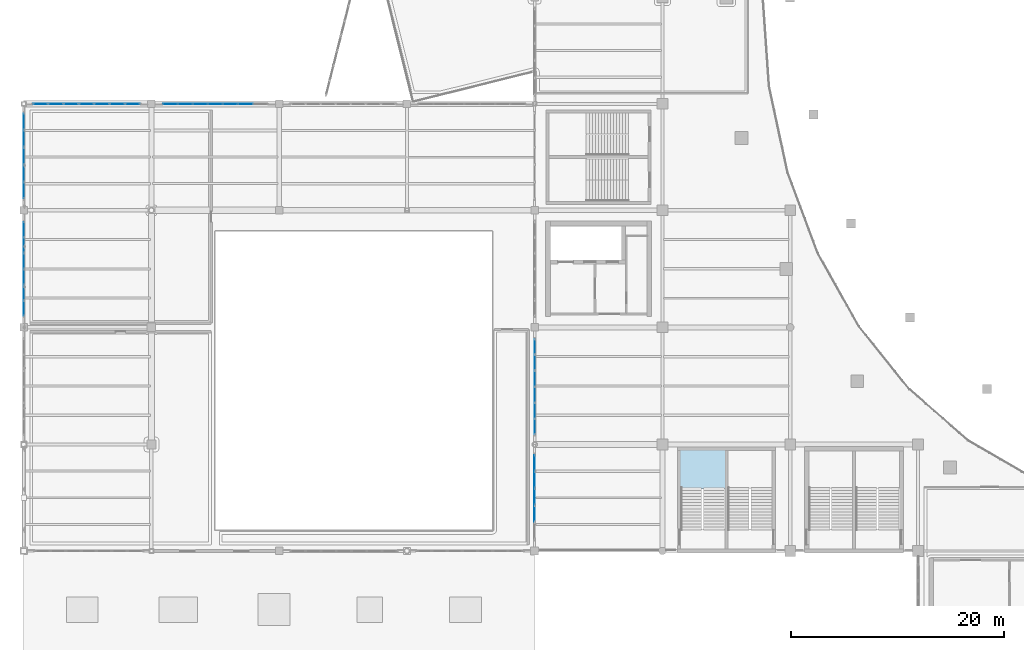
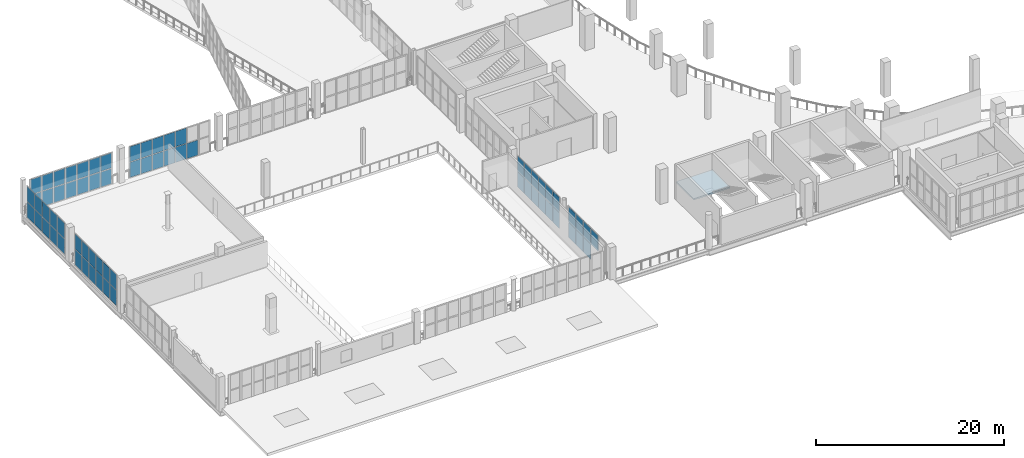
# One storey, part 67 of 108: 66 plates, 1 slab, 7 elements without a shape of their own.
"""IFC4 building model written with IfcOpenShell, lengths in metres."""

from ifc_helpers import new_model, si_unit, direction, frame, origin, origin_2d, place, context, subcontext, project, spatial, polyline, rectangle, outline, extrude, material, layer, layer_set, type_object, element, aggregate, save


model = new_model("IFC4")

# Units and contexts
model_context = context("Model", 3, precision=1e-05, world=origin(), true_north=direction((0.0, 1.0)))
body_context = subcontext(model_context, "Body", "Model", "MODEL_VIEW")
ifc_project = project(units=[si_unit("LENGTHUNIT", "METRE"), si_unit("AREAUNIT", "SQUARE_METRE"), si_unit("VOLUMEUNIT", "CUBIC_METRE"), si_unit("PLANEANGLEUNIT", "RADIAN"), si_unit("MASSUNIT", "GRAM", prefix="KILO")], contexts=[model_context])

# Site, building, storey
site_placement = place(None, origin())
site = spatial("IfcSite", under=ifc_project, at=site_placement, CompositionType="ELEMENT")
building_placement = place(site_placement, origin())
building = spatial("IfcBuilding", under=site, at=building_placement, Name="Brinegate Civic Arena", CompositionType="ELEMENT")
storey_placement = place(building_placement, frame((0.0, 0.0, 10.199951171875)))
storey = spatial("IfcBuildingStorey", under=building, at=storey_placement, Name="L02", CompositionType="ELEMENT", Elevation=10.199951171875)

# Curtain wall, plates
ifc_material_1 = material(Name="Marine grade aluminium", Category="aluminium")
ifc_layer_1 = layer(ifc_material_1, 0.18505859375, Name="Marine grade aluminium")
ifc_layer_set_1 = layer_set([ifc_layer_1], Name="Marine grade aluminium")
curtain_wall_type_1 = type_object("IfcCurtainWallType", Name="CW-WING-GLAZED-03", PredefinedType="USERDEFINED", material=ifc_layer_set_1)
curtain_wall_1_placement = place(storey_placement, origin())
curtain_wall_1 = element("IfcCurtainWall", 1, at=curtain_wall_1_placement, inside=storey, type_object=curtain_wall_type_1, Name="Curtain Wall CWA-022", ObjectType="GLAZED CURTAIN WALL", PredefinedType="USERDEFINED")
ifc_material_2 = material(Name="Hurricane laminated low-E glass", Category="glass")
ifc_layer_2 = layer(ifc_material_2, 0.028076171875, Name="Hurricane laminated low-E glass")
ifc_layer_set_2 = layer_set([ifc_layer_2], Name="Hurricane laminated low-E glass")
plate_type_1 = type_object("IfcPlateType", Name="CW-PANEL-GLAZED-28", PredefinedType="CURTAIN_PANEL", material=ifc_layer_set_2)
plate_1_placement = place(storey_placement, frame((13.76904296875, 52.0, 0.06494140625), z_axis=(0.0, 0.0, 1.0), x_axis=(1.0, 0.0, 0.0)))
plate_1 = element("IfcPlate", 2, at=plate_1_placement, type_object=plate_type_1, Name="CWA-022 panel 1.1", PredefinedType="CURTAIN_PANEL", context=body_context, shape_type="SweptSolid", body=[
    extrude(rectangle(XDim=1.318115234375, YDim=0.028076171875, at=origin_2d()), origin(), (0.0, 0.0, 1.0), 1.9775390625),
])
plate_2_placement = place(storey_placement, frame((13.76904296875, 52.0, 2.107421875), z_axis=(0.0, 0.0, 1.0), x_axis=(1.0, 0.0, 0.0)))
plate_2 = element("IfcPlate", 3, at=plate_2_placement, type_object=plate_type_1, Name="CWA-022 panel 1.2", PredefinedType="CURTAIN_PANEL", context=body_context, shape_type="SweptSolid", body=[
    extrude(rectangle(XDim=1.318115234375, YDim=0.028076171875, at=origin_2d()), origin(), (0.0, 0.0, 1.0), 1.9775390625),
])
plate_3_placement = place(storey_placement, frame((15.16845703125, 52.0, 0.06494140625), z_axis=(0.0, 0.0, 1.0), x_axis=(1.0, 0.0, 0.0)))
plate_3 = element("IfcPlate", 4, at=plate_3_placement, type_object=plate_type_1, Name="CWA-022 panel 2.1", PredefinedType="CURTAIN_PANEL", context=body_context, shape_type="SweptSolid", body=[
    extrude(rectangle(XDim=1.350830078125, YDim=0.028076171875, at=origin_2d()), origin(), (0.0, 0.0, 1.0), 1.9775390625),
])
plate_4_placement = place(storey_placement, frame((15.16845703125, 52.0, 2.107421875), z_axis=(0.0, 0.0, 1.0), x_axis=(1.0, 0.0, 0.0)))
plate_4 = element("IfcPlate", 5, at=plate_4_placement, type_object=plate_type_1, Name="CWA-022 panel 2.2", PredefinedType="CURTAIN_PANEL", context=body_context, shape_type="SweptSolid", body=[
    extrude(rectangle(XDim=1.350830078125, YDim=0.028076171875, at=origin_2d()), origin(), (0.0, 0.0, 1.0), 1.9775390625),
])
plate_5_placement = place(storey_placement, frame((16.584228515625, 52.0, 0.06494140625), z_axis=(0.0, 0.0, 1.0), x_axis=(1.0, 0.0, 0.0)))
plate_5 = element("IfcPlate", 6, at=plate_5_placement, type_object=plate_type_1, Name="CWA-022 panel 3.1", PredefinedType="CURTAIN_PANEL", context=body_context, shape_type="SweptSolid", body=[
    extrude(rectangle(XDim=1.350830078125, YDim=0.028076171875, at=origin_2d()), origin(), (0.0, 0.0, 1.0), 1.9775390625),
])
plate_6_placement = place(storey_placement, frame((16.584228515625, 52.0, 2.107421875), z_axis=(0.0, 0.0, 1.0), x_axis=(1.0, 0.0, 0.0)))
plate_6 = element("IfcPlate", 7, at=plate_6_placement, type_object=plate_type_1, Name="CWA-022 panel 3.2", PredefinedType="CURTAIN_PANEL", context=body_context, shape_type="SweptSolid", body=[
    extrude(rectangle(XDim=1.350830078125, YDim=0.028076171875, at=origin_2d()), origin(), (0.0, 0.0, 1.0), 1.9775390625),
])
plate_7_placement = place(storey_placement, frame((18.0, 52.0, 0.06494140625), z_axis=(0.0, 0.0, 1.0), x_axis=(1.0, 0.0, 0.0)))
plate_7 = element("IfcPlate", 8, at=plate_7_placement, type_object=plate_type_1, Name="CWA-022 panel 4.1", PredefinedType="CURTAIN_PANEL", context=body_context, shape_type="SweptSolid", body=[
    extrude(rectangle(XDim=1.350830078125, YDim=0.028076171875, at=origin_2d()), origin(), (0.0, 0.0, 1.0), 1.9775390625),
])
plate_8_placement = place(storey_placement, frame((18.0, 52.0, 2.107421875), z_axis=(0.0, 0.0, 1.0), x_axis=(1.0, 0.0, 0.0)))
plate_8 = element("IfcPlate", 9, at=plate_8_placement, type_object=plate_type_1, Name="CWA-022 panel 4.2", PredefinedType="CURTAIN_PANEL", context=body_context, shape_type="SweptSolid", body=[
    extrude(rectangle(XDim=1.350830078125, YDim=0.028076171875, at=origin_2d()), origin(), (0.0, 0.0, 1.0), 1.9775390625),
])
plate_9_placement = place(storey_placement, frame((19.415771484375, 52.0, 0.06494140625), z_axis=(0.0, 0.0, 1.0), x_axis=(1.0, 0.0, 0.0)))
plate_9 = element("IfcPlate", 10, at=plate_9_placement, type_object=plate_type_1, Name="CWA-022 panel 5.1", PredefinedType="CURTAIN_PANEL", context=body_context, shape_type="SweptSolid", body=[
    extrude(rectangle(XDim=1.350830078125, YDim=0.028076171875, at=origin_2d()), origin(), (0.0, 0.0, 1.0), 1.9775390625),
])
plate_10_placement = place(storey_placement, frame((19.415771484375, 52.0, 2.107421875), z_axis=(0.0, 0.0, 1.0), x_axis=(1.0, 0.0, 0.0)))
plate_10 = element("IfcPlate", 11, at=plate_10_placement, type_object=plate_type_1, Name="CWA-022 panel 5.2", PredefinedType="CURTAIN_PANEL", context=body_context, shape_type="SweptSolid", body=[
    extrude(rectangle(XDim=1.350830078125, YDim=0.028076171875, at=origin_2d()), origin(), (0.0, 0.0, 1.0), 1.9775390625),
])
plate_11_placement = place(storey_placement, frame((20.83154296875, 52.0, 0.06494140625), z_axis=(0.0, 0.0, 1.0), x_axis=(1.0, 0.0, 0.0)))
plate_11 = element("IfcPlate", 12, at=plate_11_placement, type_object=plate_type_1, Name="CWA-022 panel 6.1", PredefinedType="CURTAIN_PANEL", context=body_context, shape_type="SweptSolid", body=[
    extrude(rectangle(XDim=1.350830078125, YDim=0.028076171875, at=origin_2d()), origin(), (0.0, 0.0, 1.0), 1.9775390625),
])
aggregate(curtain_wall_1, [plate_1, plate_2, plate_3, plate_4, plate_5, plate_6, plate_7, plate_8, plate_9, plate_10, plate_11])

curtain_wall_2_placement = place(storey_placement, origin())
curtain_wall_2 = element("IfcCurtainWall", 13, at=curtain_wall_2_placement, inside=storey, type_object=curtain_wall_type_1, Name="Curtain Wall CWA-020", ObjectType="GLAZED CURTAIN WALL", PredefinedType="USERDEFINED")
ifc_layer_3 = layer(ifc_material_2, 0.031982421875, Name="Hurricane laminated low-E glass")
ifc_layer_set_3 = layer_set([ifc_layer_3], Name="Hurricane laminated low-E glass")
plate_type_2 = type_object("IfcPlateType", Name="CW-PANEL-GLAZED-32", PredefinedType="CURTAIN_PANEL", material=ifc_layer_set_3)
plate_12_placement = place(storey_placement, frame((0.0, 32.8037109375, 0.06494140625), z_axis=(0.0, 0.0, 1.0), x_axis=(0.0, 1.0, 0.0)))
plate_12 = element("IfcPlate", 14, at=plate_12_placement, type_object=plate_type_2, Name="CWA-020 panel 1.1", PredefinedType="CURTAIN_PANEL", context=body_context, shape_type="SweptSolid", body=[
    extrude(rectangle(XDim=1.387451171875, YDim=0.031982421875, at=origin_2d()), origin(), (0.0, 0.0, 1.0), 1.9775390625),
])
plate_13_placement = place(storey_placement, frame((0.0, 32.8037109375, 2.107421875), z_axis=(0.0, 0.0, 1.0), x_axis=(0.0, 1.0, 0.0)))
plate_13 = element("IfcPlate", 15, at=plate_13_placement, type_object=plate_type_2, Name="CWA-020 panel 1.2", PredefinedType="CURTAIN_PANEL", context=body_context, shape_type="SweptSolid", body=[
    extrude(rectangle(XDim=1.387451171875, YDim=0.031982421875, at=origin_2d()), origin(), (0.0, 0.0, 1.0), 1.9775390625),
])
plate_14_placement = place(storey_placement, frame((0.0, 34.2724609375, 0.06494140625), z_axis=(0.0, 0.0, 1.0), x_axis=(0.0, 1.0, 0.0)))
plate_14 = element("IfcPlate", 16, at=plate_14_placement, type_object=plate_type_2, Name="CWA-020 panel 2.1", PredefinedType="CURTAIN_PANEL", context=body_context, shape_type="SweptSolid", body=[
    extrude(rectangle(XDim=1.419921875, YDim=0.031982421875, at=origin_2d()), origin(), (0.0, 0.0, 1.0), 1.9775390625),
])
plate_15_placement = place(storey_placement, frame((0.0, 34.2724609375, 2.107421875), z_axis=(0.0, 0.0, 1.0), x_axis=(0.0, 1.0, 0.0)))
plate_15 = element("IfcPlate", 17, at=plate_15_placement, type_object=plate_type_2, Name="CWA-020 panel 2.2", PredefinedType="CURTAIN_PANEL", context=body_context, shape_type="SweptSolid", body=[
    extrude(rectangle(XDim=1.419921875, YDim=0.031982421875, at=origin_2d()), origin(), (0.0, 0.0, 1.0), 1.9775390625),
])
plate_16_placement = place(storey_placement, frame((0.0, 35.757568359375, 0.06494140625), z_axis=(0.0, 0.0, 1.0), x_axis=(0.0, 1.0, 0.0)))
plate_16 = element("IfcPlate", 18, at=plate_16_placement, type_object=plate_type_2, Name="CWA-020 panel 3.1", PredefinedType="CURTAIN_PANEL", context=body_context, shape_type="SweptSolid", body=[
    extrude(rectangle(XDim=1.419921875, YDim=0.031982421875, at=origin_2d()), origin(), (0.0, 0.0, 1.0), 1.9775390625),
])
plate_17_placement = place(storey_placement, frame((0.0, 35.757568359375, 2.107421875), z_axis=(0.0, 0.0, 1.0), x_axis=(0.0, 1.0, 0.0)))
plate_17 = element("IfcPlate", 19, at=plate_17_placement, type_object=plate_type_2, Name="CWA-020 panel 3.2", PredefinedType="CURTAIN_PANEL", context=body_context, shape_type="SweptSolid", body=[
    extrude(rectangle(XDim=1.419921875, YDim=0.031982421875, at=origin_2d()), origin(), (0.0, 0.0, 1.0), 1.9775390625),
])
plate_18_placement = place(storey_placement, frame((0.0, 37.242431640625, 0.06494140625), z_axis=(0.0, 0.0, 1.0), x_axis=(0.0, 1.0, 0.0)))
plate_18 = element("IfcPlate", 20, at=plate_18_placement, type_object=plate_type_2, Name="CWA-020 panel 4.1", PredefinedType="CURTAIN_PANEL", context=body_context, shape_type="SweptSolid", body=[
    extrude(rectangle(XDim=1.419921875, YDim=0.031982421875, at=origin_2d()), origin(), (0.0, 0.0, 1.0), 1.9775390625),
])
plate_19_placement = place(storey_placement, frame((0.0, 37.242431640625, 2.107421875), z_axis=(0.0, 0.0, 1.0), x_axis=(0.0, 1.0, 0.0)))
plate_19 = element("IfcPlate", 21, at=plate_19_placement, type_object=plate_type_2, Name="CWA-020 panel 4.2", PredefinedType="CURTAIN_PANEL", context=body_context, shape_type="SweptSolid", body=[
    extrude(rectangle(XDim=1.419921875, YDim=0.031982421875, at=origin_2d()), origin(), (0.0, 0.0, 1.0), 1.9775390625),
])
plate_20_placement = place(storey_placement, frame((0.0, 38.7275390625, 0.06494140625), z_axis=(0.0, 0.0, 1.0), x_axis=(0.0, 1.0, 0.0)))
plate_20 = element("IfcPlate", 22, at=plate_20_placement, type_object=plate_type_2, Name="CWA-020 panel 5.1", PredefinedType="CURTAIN_PANEL", context=body_context, shape_type="SweptSolid", body=[
    extrude(rectangle(XDim=1.419921875, YDim=0.031982421875, at=origin_2d()), origin(), (0.0, 0.0, 1.0), 1.9775390625),
])
plate_21_placement = place(storey_placement, frame((0.0, 38.7275390625, 2.107421875), z_axis=(0.0, 0.0, 1.0), x_axis=(0.0, 1.0, 0.0)))
plate_21 = element("IfcPlate", 23, at=plate_21_placement, type_object=plate_type_2, Name="CWA-020 panel 5.2", PredefinedType="CURTAIN_PANEL", context=body_context, shape_type="SweptSolid", body=[
    extrude(rectangle(XDim=1.419921875, YDim=0.031982421875, at=origin_2d()), origin(), (0.0, 0.0, 1.0), 1.9775390625),
])
plate_22_placement = place(storey_placement, frame((0.0, 40.1962890625, 0.06494140625), z_axis=(0.0, 0.0, 1.0), x_axis=(0.0, 1.0, 0.0)))
plate_22 = element("IfcPlate", 24, at=plate_22_placement, type_object=plate_type_2, Name="CWA-020 panel 6.1", PredefinedType="CURTAIN_PANEL", context=body_context, shape_type="SweptSolid", body=[
    extrude(rectangle(XDim=1.387451171875, YDim=0.031982421875, at=origin_2d()), origin(), (0.0, 0.0, 1.0), 1.9775390625),
])
plate_23_placement = place(storey_placement, frame((0.0, 40.1962890625, 2.107421875), z_axis=(0.0, 0.0, 1.0), x_axis=(0.0, 1.0, 0.0)))
plate_23 = element("IfcPlate", 25, at=plate_23_placement, type_object=plate_type_2, Name="CWA-020 panel 6.2", PredefinedType="CURTAIN_PANEL", context=body_context, shape_type="SweptSolid", body=[
    extrude(rectangle(XDim=1.387451171875, YDim=0.031982421875, at=origin_2d()), origin(), (0.0, 0.0, 1.0), 1.9775390625),
])
aggregate(curtain_wall_2, [plate_12, plate_13, plate_14, plate_15, plate_16, plate_17, plate_18, plate_19, plate_20, plate_21, plate_22, plate_23])

ifc_layer_4 = layer(ifc_material_1, 0.199951171875, Name="Marine grade aluminium")
ifc_layer_set_4 = layer_set([ifc_layer_4], Name="Marine grade aluminium")
curtain_wall_type_2 = type_object("IfcCurtainWallType", Name="CW-BOWL-GLAZED-01", PredefinedType="USERDEFINED", material=ifc_layer_set_4)
curtain_wall_3_placement = place(storey_placement, origin())
curtain_wall_3 = element("IfcCurtainWall", 26, at=curtain_wall_3_placement, inside=storey, type_object=curtain_wall_type_2, Name="Curtain Wall CWA-077", ObjectType="GLAZED CURTAIN WALL", PredefinedType="USERDEFINED")
plate_24_placement = place(storey_placement, frame((48.0, 21.67919921875, 0.06494140625), z_axis=(0.0, 0.0, 1.0), x_axis=(0.0, 1.0, 0.0)))
plate_24 = element("IfcPlate", 27, at=plate_24_placement, type_object=plate_type_2, Name="CWA-077 panel 1.1", PredefinedType="CURTAIN_PANEL", context=body_context, shape_type="SweptSolid", body=[
    extrude(rectangle(XDim=1.41015625, YDim=0.031982421875, at=origin_2d()), origin(), (0.0, 0.0, 1.0), 1.9775390625),
])
plate_25_placement = place(storey_placement, frame((48.0, 21.67919921875, 2.107421875), z_axis=(0.0, 0.0, 1.0), x_axis=(0.0, 1.0, 0.0)))
plate_25 = element("IfcPlate", 28, at=plate_25_placement, type_object=plate_type_2, Name="CWA-077 panel 1.2", PredefinedType="CURTAIN_PANEL", context=body_context, shape_type="SweptSolid", body=[
    extrude(rectangle(XDim=1.41015625, YDim=0.031982421875, at=origin_2d()), origin(), (0.0, 0.0, 1.0), 1.9775390625),
])
plate_26_placement = place(storey_placement, frame((48.0, 23.17041015625, 0.06494140625), z_axis=(0.0, 0.0, 1.0), x_axis=(0.0, 1.0, 0.0)))
plate_26 = element("IfcPlate", 29, at=plate_26_placement, type_object=plate_type_2, Name="CWA-077 panel 2.1", PredefinedType="CURTAIN_PANEL", context=body_context, shape_type="SweptSolid", body=[
    extrude(rectangle(XDim=1.442626953125, YDim=0.031982421875, at=origin_2d()), origin(), (0.0, 0.0, 1.0), 1.9775390625),
])
plate_27_placement = place(storey_placement, frame((48.0, 23.17041015625, 2.107421875), z_axis=(0.0, 0.0, 1.0), x_axis=(0.0, 1.0, 0.0)))
plate_27 = element("IfcPlate", 30, at=plate_27_placement, type_object=plate_type_2, Name="CWA-077 panel 2.2", PredefinedType="CURTAIN_PANEL", context=body_context, shape_type="SweptSolid", body=[
    extrude(rectangle(XDim=1.442626953125, YDim=0.031982421875, at=origin_2d()), origin(), (0.0, 0.0, 1.0), 1.9775390625),
])
plate_28_placement = place(storey_placement, frame((48.0, 24.67822265625, 0.06494140625), z_axis=(0.0, 0.0, 1.0), x_axis=(0.0, 1.0, 0.0)))
plate_28 = element("IfcPlate", 31, at=plate_28_placement, type_object=plate_type_2, Name="CWA-077 panel 3.1", PredefinedType="CURTAIN_PANEL", context=body_context, shape_type="SweptSolid", body=[
    extrude(rectangle(XDim=1.442626953125, YDim=0.031982421875, at=origin_2d()), origin(), (0.0, 0.0, 1.0), 1.9775390625),
])
plate_29_placement = place(storey_placement, frame((48.0, 24.67822265625, 2.107421875), z_axis=(0.0, 0.0, 1.0), x_axis=(0.0, 1.0, 0.0)))
plate_29 = element("IfcPlate", 32, at=plate_29_placement, type_object=plate_type_2, Name="CWA-077 panel 3.2", PredefinedType="CURTAIN_PANEL", context=body_context, shape_type="SweptSolid", body=[
    extrude(rectangle(XDim=1.442626953125, YDim=0.031982421875, at=origin_2d()), origin(), (0.0, 0.0, 1.0), 1.9775390625),
])
plate_30_placement = place(storey_placement, frame((48.0, 26.185791015625, 0.06494140625), z_axis=(0.0, 0.0, 1.0), x_axis=(0.0, 1.0, 0.0)))
plate_30 = element("IfcPlate", 33, at=plate_30_placement, type_object=plate_type_2, Name="CWA-077 panel 4.1", PredefinedType="CURTAIN_PANEL", context=body_context, shape_type="SweptSolid", body=[
    extrude(rectangle(XDim=1.442626953125, YDim=0.031982421875, at=origin_2d()), origin(), (0.0, 0.0, 1.0), 1.9775390625),
])
plate_31_placement = place(storey_placement, frame((48.0, 26.185791015625, 2.107421875), z_axis=(0.0, 0.0, 1.0), x_axis=(0.0, 1.0, 0.0)))
plate_31 = element("IfcPlate", 34, at=plate_31_placement, type_object=plate_type_2, Name="CWA-077 panel 4.2", PredefinedType="CURTAIN_PANEL", context=body_context, shape_type="SweptSolid", body=[
    extrude(rectangle(XDim=1.442626953125, YDim=0.031982421875, at=origin_2d()), origin(), (0.0, 0.0, 1.0), 1.9775390625),
])
plate_32_placement = place(storey_placement, frame((48.0, 27.693603515625, 0.06494140625), z_axis=(0.0, 0.0, 1.0), x_axis=(0.0, 1.0, 0.0)))
plate_32 = element("IfcPlate", 35, at=plate_32_placement, type_object=plate_type_2, Name="CWA-077 panel 5.1", PredefinedType="CURTAIN_PANEL", context=body_context, shape_type="SweptSolid", body=[
    extrude(rectangle(XDim=1.442626953125, YDim=0.031982421875, at=origin_2d()), origin(), (0.0, 0.0, 1.0), 1.9775390625),
])
plate_33_placement = place(storey_placement, frame((48.0, 27.693603515625, 2.107421875), z_axis=(0.0, 0.0, 1.0), x_axis=(0.0, 1.0, 0.0)))
plate_33 = element("IfcPlate", 36, at=plate_33_placement, type_object=plate_type_2, Name="CWA-077 panel 5.2", PredefinedType="CURTAIN_PANEL", context=body_context, shape_type="SweptSolid", body=[
    extrude(rectangle(XDim=1.442626953125, YDim=0.031982421875, at=origin_2d()), origin(), (0.0, 0.0, 1.0), 1.9775390625),
])
plate_34_placement = place(storey_placement, frame((48.0, 29.184814453125, 0.06494140625), z_axis=(0.0, 0.0, 1.0), x_axis=(0.0, 1.0, 0.0)))
plate_34 = element("IfcPlate", 37, at=plate_34_placement, type_object=plate_type_2, Name="CWA-077 panel 6.1", PredefinedType="CURTAIN_PANEL", context=body_context, shape_type="SweptSolid", body=[
    extrude(rectangle(XDim=1.41015625, YDim=0.031982421875, at=origin_2d()), origin(), (0.0, 0.0, 1.0), 1.9775390625),
])
plate_35_placement = place(storey_placement, frame((48.0, 29.184814453125, 2.107421875), z_axis=(0.0, 0.0, 1.0), x_axis=(0.0, 1.0, 0.0)))
plate_35 = element("IfcPlate", 38, at=plate_35_placement, type_object=plate_type_2, Name="CWA-077 panel 6.2", PredefinedType="CURTAIN_PANEL", context=body_context, shape_type="SweptSolid", body=[
    extrude(rectangle(XDim=1.41015625, YDim=0.031982421875, at=origin_2d()), origin(), (0.0, 0.0, 1.0), 1.9775390625),
])
aggregate(curtain_wall_3, [plate_24, plate_25, plate_26, plate_27, plate_28, plate_29, plate_30, plate_31, plate_32, plate_33, plate_34, plate_35])

curtain_wall_4_placement = place(storey_placement, origin())
curtain_wall_4 = element("IfcCurtainWall", 39, at=curtain_wall_4_placement, inside=storey, type_object=curtain_wall_type_1, Name="Curtain Wall CWA-021", ObjectType="GLAZED CURTAIN WALL", PredefinedType="USERDEFINED")
ifc_layer_5 = layer(ifc_material_2, 0.035888671875, Name="Hurricane laminated low-E glass")
ifc_layer_set_5 = layer_set([ifc_layer_5], Name="Hurricane laminated low-E glass")
plate_type_3 = type_object("IfcPlateType", Name="CW-PANEL-GLAZED-36", PredefinedType="CURTAIN_PANEL", material=ifc_layer_set_5)
plate_36_placement = place(storey_placement, frame((0.0, 43.8759765625, 0.06494140625), z_axis=(0.0, 0.0, 1.0), x_axis=(0.0, 1.0, 0.0)))
plate_36 = element("IfcPlate", 40, at=plate_36_placement, type_object=plate_type_3, Name="CWA-021 panel 1.1", PredefinedType="CURTAIN_PANEL", context=body_context, shape_type="SweptSolid", body=[
    extrude(rectangle(XDim=1.511962890625, YDim=0.035888671875, at=origin_2d()), origin(), (0.0, 0.0, 1.0), 1.9775390625),
])
plate_37_placement = place(storey_placement, frame((0.0, 43.8759765625, 2.107421875), z_axis=(0.0, 0.0, 1.0), x_axis=(0.0, 1.0, 0.0)))
plate_37 = element("IfcPlate", 41, at=plate_37_placement, type_object=plate_type_3, Name="CWA-021 panel 1.2", PredefinedType="CURTAIN_PANEL", context=body_context, shape_type="SweptSolid", body=[
    extrude(rectangle(XDim=1.511962890625, YDim=0.035888671875, at=origin_2d()), origin(), (0.0, 0.0, 1.0), 1.9775390625),
])
plate_38_placement = place(storey_placement, frame((0.0, 45.481689453125, 0.06494140625), z_axis=(0.0, 0.0, 1.0), x_axis=(0.0, 1.0, 0.0)))
plate_38 = element("IfcPlate", 42, at=plate_38_placement, type_object=plate_type_3, Name="CWA-021 panel 2.1", PredefinedType="CURTAIN_PANEL", context=body_context, shape_type="SweptSolid", body=[
    extrude(rectangle(XDim=1.54931640625, YDim=0.035888671875, at=origin_2d()), origin(), (0.0, 0.0, 1.0), 1.9775390625),
])
plate_39_placement = place(storey_placement, frame((0.0, 45.481689453125, 2.107421875), z_axis=(0.0, 0.0, 1.0), x_axis=(0.0, 1.0, 0.0)))
plate_39 = element("IfcPlate", 43, at=plate_39_placement, type_object=plate_type_3, Name="CWA-021 panel 2.2", PredefinedType="CURTAIN_PANEL", context=body_context, shape_type="SweptSolid", body=[
    extrude(rectangle(XDim=1.54931640625, YDim=0.035888671875, at=origin_2d()), origin(), (0.0, 0.0, 1.0), 1.9775390625),
])
plate_40_placement = place(storey_placement, frame((0.0, 47.10595703125, 0.06494140625), z_axis=(0.0, 0.0, 1.0), x_axis=(0.0, 1.0, 0.0)))
plate_40 = element("IfcPlate", 44, at=plate_40_placement, type_object=plate_type_3, Name="CWA-021 panel 3.1", PredefinedType="CURTAIN_PANEL", context=body_context, shape_type="SweptSolid", body=[
    extrude(rectangle(XDim=1.54931640625, YDim=0.035888671875, at=origin_2d()), origin(), (0.0, 0.0, 1.0), 1.9775390625),
])
plate_41_placement = place(storey_placement, frame((0.0, 47.10595703125, 2.107421875), z_axis=(0.0, 0.0, 1.0), x_axis=(0.0, 1.0, 0.0)))
plate_41 = element("IfcPlate", 45, at=plate_41_placement, type_object=plate_type_3, Name="CWA-021 panel 3.2", PredefinedType="CURTAIN_PANEL", context=body_context, shape_type="SweptSolid", body=[
    extrude(rectangle(XDim=1.54931640625, YDim=0.035888671875, at=origin_2d()), origin(), (0.0, 0.0, 1.0), 1.9775390625),
])
plate_42_placement = place(storey_placement, frame((0.0, 48.73046875, 0.06494140625), z_axis=(0.0, 0.0, 1.0), x_axis=(0.0, 1.0, 0.0)))
plate_42 = element("IfcPlate", 46, at=plate_42_placement, type_object=plate_type_3, Name="CWA-021 panel 4.1", PredefinedType="CURTAIN_PANEL", context=body_context, shape_type="SweptSolid", body=[
    extrude(rectangle(XDim=1.54931640625, YDim=0.035888671875, at=origin_2d()), origin(), (0.0, 0.0, 1.0), 1.9775390625),
])
plate_43_placement = place(storey_placement, frame((0.0, 48.73046875, 2.107421875), z_axis=(0.0, 0.0, 1.0), x_axis=(0.0, 1.0, 0.0)))
plate_43 = element("IfcPlate", 47, at=plate_43_placement, type_object=plate_type_3, Name="CWA-021 panel 4.2", PredefinedType="CURTAIN_PANEL", context=body_context, shape_type="SweptSolid", body=[
    extrude(rectangle(XDim=1.54931640625, YDim=0.035888671875, at=origin_2d()), origin(), (0.0, 0.0, 1.0), 1.9775390625),
])
plate_44_placement = place(storey_placement, frame((0.0, 50.3359375, 0.06494140625), z_axis=(0.0, 0.0, 1.0), x_axis=(0.0, 1.0, 0.0)))
plate_44 = element("IfcPlate", 48, at=plate_44_placement, type_object=plate_type_3, Name="CWA-021 panel 5.1", PredefinedType="CURTAIN_PANEL", context=body_context, shape_type="SweptSolid", body=[
    extrude(rectangle(XDim=1.511962890625, YDim=0.035888671875, at=origin_2d()), origin(), (0.0, 0.0, 1.0), 1.9775390625),
])
plate_45_placement = place(storey_placement, frame((0.0, 50.3359375, 2.107421875), z_axis=(0.0, 0.0, 1.0), x_axis=(0.0, 1.0, 0.0)))
plate_45 = element("IfcPlate", 49, at=plate_45_placement, type_object=plate_type_3, Name="CWA-021 panel 5.2", PredefinedType="CURTAIN_PANEL", context=body_context, shape_type="SweptSolid", body=[
    extrude(rectangle(XDim=1.511962890625, YDim=0.035888671875, at=origin_2d()), origin(), (0.0, 0.0, 1.0), 1.9775390625),
])
aggregate(curtain_wall_4, [plate_36, plate_37, plate_38, plate_39, plate_40, plate_41, plate_42, plate_43, plate_44, plate_45])

curtain_wall_5_placement = place(storey_placement, origin())
curtain_wall_5 = element("IfcCurtainWall", 50, at=curtain_wall_5_placement, inside=storey, type_object=curtain_wall_type_1, Name="Curtain Wall CWA-094", ObjectType="GLAZED CURTAIN WALL", PredefinedType="USERDEFINED")
plate_46_placement = place(storey_placement, frame((1.57470703125, 52.0, 0.0751953125), z_axis=(0.0, 0.0, 1.0), x_axis=(1.0, 0.0, 0.0)))
plate_46 = element("IfcPlate", 51, at=plate_46_placement, type_object=plate_type_3, Name="CWA-094 panel 1.1", PredefinedType="CURTAIN_PANEL", context=body_context, shape_type="SweptSolid", body=[
    extrude(rectangle(XDim=1.33349609375, YDim=0.035888671875, at=origin_2d()), origin(), (0.0, 0.0, 1.0), 1.96240234375),
])
plate_47_placement = place(storey_placement, frame((1.57470703125, 52.0, 2.112548828125), z_axis=(0.0, 0.0, 1.0), x_axis=(1.0, 0.0, 0.0)))
plate_47 = element("IfcPlate", 52, at=plate_47_placement, type_object=plate_type_3, Name="CWA-094 panel 1.2", PredefinedType="CURTAIN_PANEL", context=body_context, shape_type="SweptSolid", body=[
    extrude(rectangle(XDim=1.33349609375, YDim=0.035888671875, at=origin_2d()), origin(), (0.0, 0.0, 1.0), 1.96240234375),
])
plate_48_placement = place(storey_placement, frame((3.001953125, 52.0, 0.0751953125), z_axis=(0.0, 0.0, 1.0), x_axis=(1.0, 0.0, 0.0)))
plate_48 = element("IfcPlate", 53, at=plate_48_placement, type_object=plate_type_3, Name="CWA-094 panel 2.1", PredefinedType="CURTAIN_PANEL", context=body_context, shape_type="SweptSolid", body=[
    extrude(rectangle(XDim=1.37109375, YDim=0.035888671875, at=origin_2d()), origin(), (0.0, 0.0, 1.0), 1.96240234375),
])
plate_49_placement = place(storey_placement, frame((3.001953125, 52.0, 2.112548828125), z_axis=(0.0, 0.0, 1.0), x_axis=(1.0, 0.0, 0.0)))
plate_49 = element("IfcPlate", 54, at=plate_49_placement, type_object=plate_type_3, Name="CWA-094 panel 2.2", PredefinedType="CURTAIN_PANEL", context=body_context, shape_type="SweptSolid", body=[
    extrude(rectangle(XDim=1.37109375, YDim=0.035888671875, at=origin_2d()), origin(), (0.0, 0.0, 1.0), 1.96240234375),
])
plate_50_placement = place(storey_placement, frame((4.447998046875, 52.0, 0.0751953125), z_axis=(0.0, 0.0, 1.0), x_axis=(1.0, 0.0, 0.0)))
plate_50 = element("IfcPlate", 55, at=plate_50_placement, type_object=plate_type_3, Name="CWA-094 panel 3.1", PredefinedType="CURTAIN_PANEL", context=body_context, shape_type="SweptSolid", body=[
    extrude(rectangle(XDim=1.37109375, YDim=0.035888671875, at=origin_2d()), origin(), (0.0, 0.0, 1.0), 1.96240234375),
])
plate_51_placement = place(storey_placement, frame((4.447998046875, 52.0, 2.112548828125), z_axis=(0.0, 0.0, 1.0), x_axis=(1.0, 0.0, 0.0)))
plate_51 = element("IfcPlate", 56, at=plate_51_placement, type_object=plate_type_3, Name="CWA-094 panel 3.2", PredefinedType="CURTAIN_PANEL", context=body_context, shape_type="SweptSolid", body=[
    extrude(rectangle(XDim=1.37109375, YDim=0.035888671875, at=origin_2d()), origin(), (0.0, 0.0, 1.0), 1.96240234375),
])
plate_52_placement = place(storey_placement, frame((5.89404296875, 52.0, 0.0751953125), z_axis=(0.0, 0.0, 1.0), x_axis=(1.0, 0.0, 0.0)))
plate_52 = element("IfcPlate", 57, at=plate_52_placement, type_object=plate_type_3, Name="CWA-094 panel 4.1", PredefinedType="CURTAIN_PANEL", context=body_context, shape_type="SweptSolid", body=[
    extrude(rectangle(XDim=1.37109375, YDim=0.035888671875, at=origin_2d()), origin(), (0.0, 0.0, 1.0), 1.96240234375),
])
plate_53_placement = place(storey_placement, frame((5.89404296875, 52.0, 2.112548828125), z_axis=(0.0, 0.0, 1.0), x_axis=(1.0, 0.0, 0.0)))
plate_53 = element("IfcPlate", 58, at=plate_53_placement, type_object=plate_type_3, Name="CWA-094 panel 4.2", PredefinedType="CURTAIN_PANEL", context=body_context, shape_type="SweptSolid", body=[
    extrude(rectangle(XDim=1.37109375, YDim=0.035888671875, at=origin_2d()), origin(), (0.0, 0.0, 1.0), 1.96240234375),
])
plate_54_placement = place(storey_placement, frame((7.340087890625, 52.0, 0.0751953125), z_axis=(0.0, 0.0, 1.0), x_axis=(1.0, 0.0, 0.0)))
plate_54 = element("IfcPlate", 59, at=plate_54_placement, type_object=plate_type_3, Name="CWA-094 panel 5.1", PredefinedType="CURTAIN_PANEL", context=body_context, shape_type="SweptSolid", body=[
    extrude(rectangle(XDim=1.37109375, YDim=0.035888671875, at=origin_2d()), origin(), (0.0, 0.0, 1.0), 1.96240234375),
])
plate_55_placement = place(storey_placement, frame((7.340087890625, 52.0, 2.112548828125), z_axis=(0.0, 0.0, 1.0), x_axis=(1.0, 0.0, 0.0)))
plate_55 = element("IfcPlate", 60, at=plate_55_placement, type_object=plate_type_3, Name="CWA-094 panel 5.2", PredefinedType="CURTAIN_PANEL", context=body_context, shape_type="SweptSolid", body=[
    extrude(rectangle(XDim=1.37109375, YDim=0.035888671875, at=origin_2d()), origin(), (0.0, 0.0, 1.0), 1.96240234375),
])
plate_56_placement = place(storey_placement, frame((8.785888671875, 52.0, 0.0751953125), z_axis=(0.0, 0.0, 1.0), x_axis=(1.0, 0.0, 0.0)))
plate_56 = element("IfcPlate", 61, at=plate_56_placement, type_object=plate_type_3, Name="CWA-094 panel 6.1", PredefinedType="CURTAIN_PANEL", context=body_context, shape_type="SweptSolid", body=[
    extrude(rectangle(XDim=1.37109375, YDim=0.035888671875, at=origin_2d()), origin(), (0.0, 0.0, 1.0), 1.96240234375),
])
plate_57_placement = place(storey_placement, frame((8.785888671875, 52.0, 2.112548828125), z_axis=(0.0, 0.0, 1.0), x_axis=(1.0, 0.0, 0.0)))
plate_57 = element("IfcPlate", 62, at=plate_57_placement, type_object=plate_type_3, Name="CWA-094 panel 6.2", PredefinedType="CURTAIN_PANEL", context=body_context, shape_type="SweptSolid", body=[
    extrude(rectangle(XDim=1.37109375, YDim=0.035888671875, at=origin_2d()), origin(), (0.0, 0.0, 1.0), 1.96240234375),
])
plate_58_placement = place(storey_placement, frame((10.213134765625, 52.0, 0.0751953125), z_axis=(0.0, 0.0, 1.0), x_axis=(1.0, 0.0, 0.0)))
plate_58 = element("IfcPlate", 63, at=plate_58_placement, type_object=plate_type_3, Name="CWA-094 panel 7.1", PredefinedType="CURTAIN_PANEL", context=body_context, shape_type="SweptSolid", body=[
    extrude(rectangle(XDim=1.33349609375, YDim=0.035888671875, at=origin_2d()), origin(), (0.0, 0.0, 1.0), 1.96240234375),
])
plate_59_placement = place(storey_placement, frame((10.213134765625, 52.0, 2.112548828125), z_axis=(0.0, 0.0, 1.0), x_axis=(1.0, 0.0, 0.0)))
plate_59 = element("IfcPlate", 64, at=plate_59_placement, type_object=plate_type_3, Name="CWA-094 panel 7.2", PredefinedType="CURTAIN_PANEL", context=body_context, shape_type="SweptSolid", body=[
    extrude(rectangle(XDim=1.33349609375, YDim=0.035888671875, at=origin_2d()), origin(), (0.0, 0.0, 1.0), 1.96240234375),
])
aggregate(curtain_wall_5, [plate_46, plate_47, plate_48, plate_49, plate_50, plate_51, plate_52, plate_53, plate_54, plate_55, plate_56, plate_57, plate_58, plate_59])

curtain_wall_6_placement = place(storey_placement, origin())
curtain_wall_6 = element("IfcCurtainWall", 65, at=curtain_wall_6_placement, inside=storey, type_object=curtain_wall_type_2, Name="Curtain Wall CWA-075", ObjectType="GLAZED CURTAIN WALL", PredefinedType="USERDEFINED")
ifc_layer_6 = layer(ifc_material_2, 0.0419921875, Name="Hurricane laminated low-E glass")
ifc_layer_set_6 = layer_set([ifc_layer_6], Name="Hurricane laminated low-E glass")
plate_type_4 = type_object("IfcPlateType", Name="CW-PANEL-SPANDREL-42", PredefinedType="CURTAIN_PANEL", material=ifc_layer_set_6)
plate_60_placement = place(storey_placement, frame((48.0, 13.4833984375, 2.107421875), z_axis=(0.0, 0.0, 1.0), x_axis=(0.0, 1.0, 0.0)))
plate_60 = element("IfcPlate", 66, at=plate_60_placement, type_object=plate_type_4, Name="CWA-075 panel 2.2", PredefinedType="CURTAIN_PANEL", context=body_context, shape_type="SweptSolid", body=[
    extrude(rectangle(XDim=1.522216796875, YDim=0.0419921875, at=origin_2d()), origin(), (0.0, 0.0, 1.0), 1.9775390625),
])
plate_61_placement = place(storey_placement, frame((48.0, 15.08544921875, 0.06494140625), z_axis=(0.0, 0.0, 1.0), x_axis=(0.0, 1.0, 0.0)))
plate_61 = element("IfcPlate", 67, at=plate_61_placement, type_object=plate_type_4, Name="CWA-075 panel 3.1", PredefinedType="CURTAIN_PANEL", context=body_context, shape_type="SweptSolid", body=[
    extrude(rectangle(XDim=1.522216796875, YDim=0.0419921875, at=origin_2d()), origin(), (0.0, 0.0, 1.0), 1.9775390625),
])
plate_62_placement = place(storey_placement, frame((48.0, 15.08544921875, 2.107421875), z_axis=(0.0, 0.0, 1.0), x_axis=(0.0, 1.0, 0.0)))
plate_62 = element("IfcPlate", 68, at=plate_62_placement, type_object=plate_type_4, Name="CWA-075 panel 3.2", PredefinedType="CURTAIN_PANEL", context=body_context, shape_type="SweptSolid", body=[
    extrude(rectangle(XDim=1.522216796875, YDim=0.0419921875, at=origin_2d()), origin(), (0.0, 0.0, 1.0), 1.9775390625),
])
plate_63_placement = place(storey_placement, frame((48.0, 16.687744140625, 0.06494140625), z_axis=(0.0, 0.0, 1.0), x_axis=(0.0, 1.0, 0.0)))
plate_63 = element("IfcPlate", 69, at=plate_63_placement, type_object=plate_type_4, Name="CWA-075 panel 4.1", PredefinedType="CURTAIN_PANEL", context=body_context, shape_type="SweptSolid", body=[
    extrude(rectangle(XDim=1.522216796875, YDim=0.0419921875, at=origin_2d()), origin(), (0.0, 0.0, 1.0), 1.9775390625),
])
plate_64_placement = place(storey_placement, frame((48.0, 16.687744140625, 2.107421875), z_axis=(0.0, 0.0, 1.0), x_axis=(0.0, 1.0, 0.0)))
plate_64 = element("IfcPlate", 70, at=plate_64_placement, type_object=plate_type_4, Name="CWA-075 panel 4.2", PredefinedType="CURTAIN_PANEL", context=body_context, shape_type="SweptSolid", body=[
    extrude(rectangle(XDim=1.522216796875, YDim=0.0419921875, at=origin_2d()), origin(), (0.0, 0.0, 1.0), 1.9775390625),
])
plate_65_placement = place(storey_placement, frame((48.0, 18.27001953125, 0.06494140625), z_axis=(0.0, 0.0, 1.0), x_axis=(0.0, 1.0, 0.0)))
plate_65 = element("IfcPlate", 71, at=plate_65_placement, type_object=plate_type_4, Name="CWA-075 panel 5.1", PredefinedType="CURTAIN_PANEL", context=body_context, shape_type="SweptSolid", body=[
    extrude(rectangle(XDim=1.482177734375, YDim=0.0419921875, at=origin_2d()), origin(), (0.0, 0.0, 1.0), 1.9775390625),
])
plate_66_placement = place(storey_placement, frame((48.0, 18.27001953125, 2.107421875), z_axis=(0.0, 0.0, 1.0), x_axis=(0.0, 1.0, 0.0)))
plate_66 = element("IfcPlate", 72, at=plate_66_placement, type_object=plate_type_4, Name="CWA-075 panel 5.2", PredefinedType="CURTAIN_PANEL", context=body_context, shape_type="SweptSolid", body=[
    extrude(rectangle(XDim=1.482177734375, YDim=0.0419921875, at=origin_2d()), origin(), (0.0, 0.0, 1.0), 1.9775390625),
])
aggregate(curtain_wall_6, [plate_60, plate_61, plate_62, plate_63, plate_64, plate_65, plate_66])

# Stair, slab
ifc_material_3 = material(Name="Concrete C40/50", Category="concrete")
stair_type = type_object("IfcStairType", Name="STAIR-EXIT-3850", PredefinedType="HALF_TURN_STAIR", material=ifc_material_3)
stair_placement = place(storey_placement, origin())
stair = element("IfcStair", 73, at=stair_placement, inside=storey, type_object=stair_type, Name="Protected Exit Stair ST-02A (L02)", PredefinedType="HALF_TURN_STAIR")
ifc_layer_7 = layer(ifc_material_3, 0.179931640625, Name="Concrete C40/50")
ifc_layer_set_7 = layer_set([ifc_layer_7], Name="Concrete C40/50")
slab_type = type_object("IfcSlabType", Name="SLAB-LANDING-180", PredefinedType="LANDING", material=ifc_layer_set_7)
slab_placement = place(storey_placement, frame((0.0, 0.0, 2.070068359375)))
slab = element("IfcSlab", 74, at=slab_placement, type_object=slab_type, Name="ST-02A landing 1", PredefinedType="LANDING", context=body_context, shape_type="SweptSolid", body=[
    extrude(outline(polyline([(61.544921875, 15.8798828125), (66.0048828125, 15.8798828125), (66.0048828125, 19.60009765625), (61.544921875, 19.60009765625), (61.544921875, 15.8798828125)])), origin(), (0.0, 0.0, 1.0), 0.179931640625),
])
aggregate(stair, [slab])

save(model, "model.ifc")
